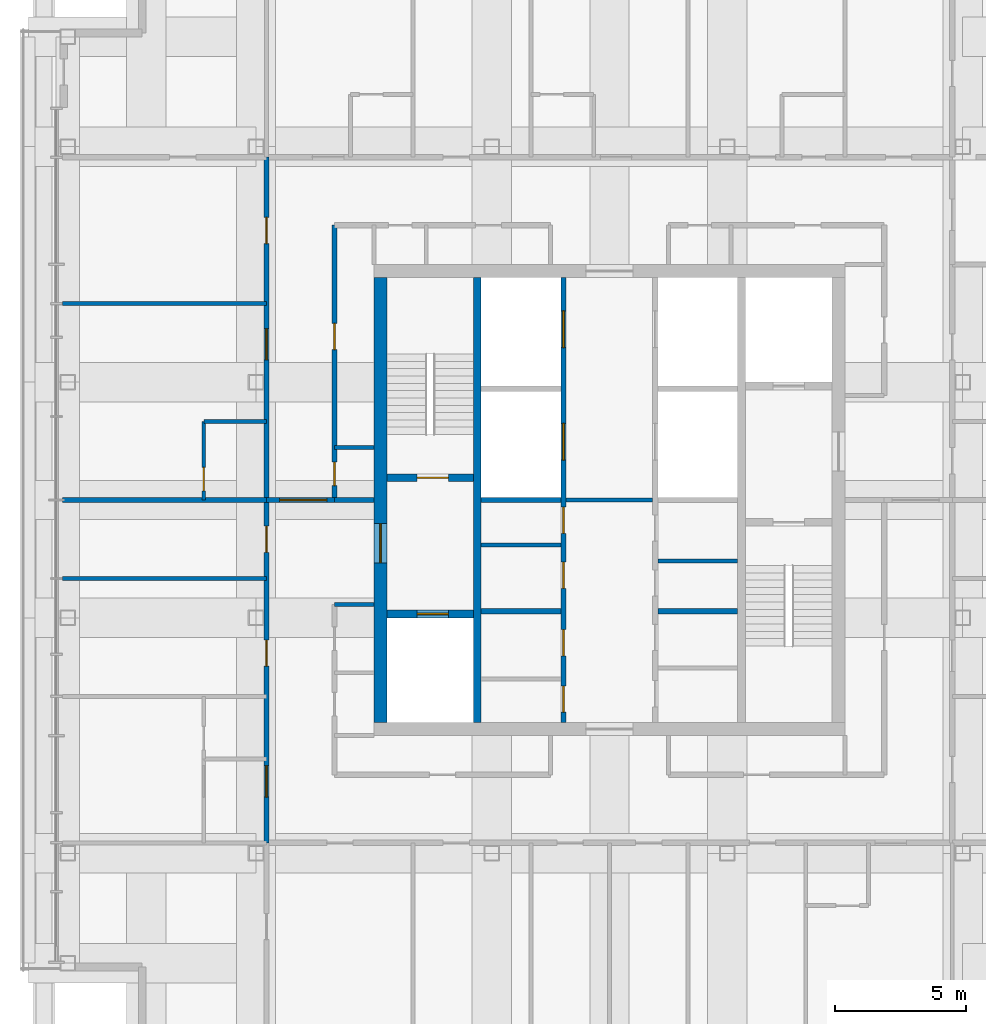
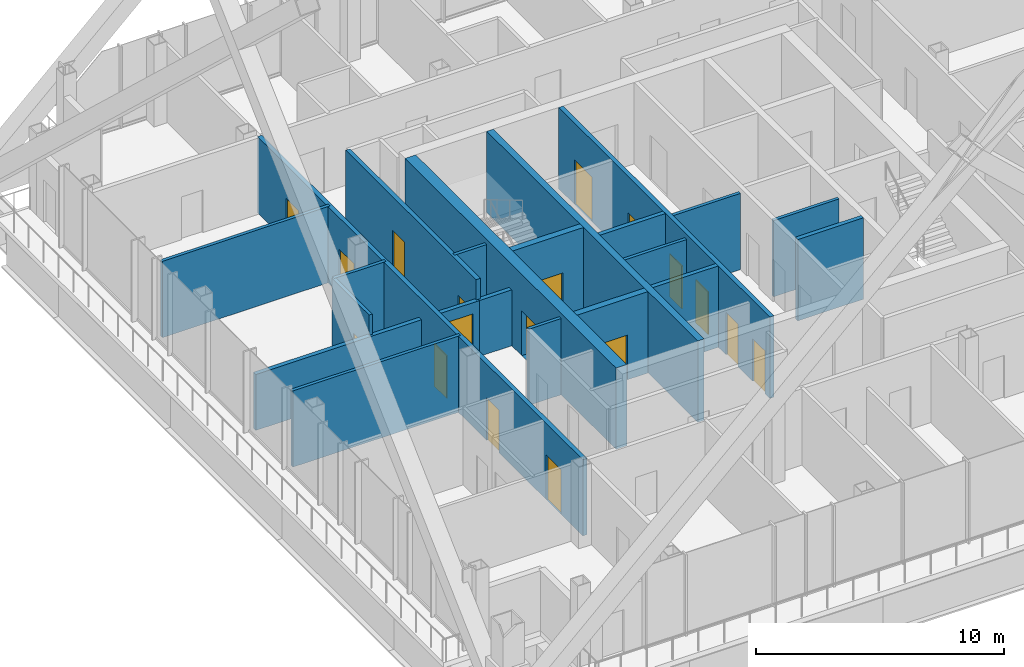
# One storey, part 13 of 19: 22 walls, 18 doors, 18 openings.
"""IFC4 building model written with IfcOpenShell, lengths in metres."""

from ifc_helpers import new_model, si_unit, direction, frame, frame_2d, origin, place, context, subcontext, project, spatial, rectangle, extrude, material, layer, layer_set, type_object, element, fill, save


model = new_model("IFC4")

# Units and contexts
model_context = context("Model", 3, precision=1e-05, world=origin(), true_north=direction((0.0, 1.0)))
body_context = subcontext(model_context, "Body", "Model", "MODEL_VIEW")
ifc_project = project(units=[si_unit("LENGTHUNIT", "METRE"), si_unit("AREAUNIT", "SQUARE_METRE"), si_unit("VOLUMEUNIT", "CUBIC_METRE"), si_unit("PLANEANGLEUNIT", "RADIAN"), si_unit("MASSUNIT", "GRAM", prefix="KILO")], contexts=[model_context])

# Site, building, storey
site_placement = place(None, origin())
site = spatial("IfcSite", under=ifc_project, at=site_placement, CompositionType="ELEMENT")
building_placement = place(site_placement, origin())
building = spatial("IfcBuilding", under=site, at=building_placement, Name="Malebo Sky Hospital", CompositionType="ELEMENT")
storey_placement = place(building_placement, frame((0.0, 0.0, 250.0)))
storey = spatial("IfcBuildingStorey", under=building, at=storey_placement, Name="L60", CompositionType="ELEMENT", Elevation=250.0)

# Wall, openings, doors
ifc_material_1 = material(Name="Concrete C80/95", Category="concrete")
ifc_layer_1 = layer(ifc_material_1, 0.199951171875)
ifc_layer_set_1 = layer_set([ifc_layer_1], Name="CORE INNER WALL 200")
wall_type_1 = type_object("IfcWallType", Name="CORE INNER WALL 200", PredefinedType="SHEAR", material=ifc_layer_set_1)
wall_1_placement = place(storey_placement, frame((58.25, 53.5, 0.0), z_axis=(0.0, 0.0, 1.0), x_axis=(0.0, 1.0, 0.0)))
wall_1 = element("IfcWall", 1, at=wall_1_placement, inside=storey, type_object=wall_type_1, Name="Core wall LW L60", PredefinedType="SHEAR", context=body_context, shape_type="SweptSolid", body=[
    extrude(rectangle(XDim=17.0, YDim=0.199951171875, at=frame_2d((8.5, 0.0))), origin(), (0.0, 0.0, 1.0), 4.0),
])
opening_1_placement = place(wall_1_placement, frame((0.392578125, 0.0, 0.0)))
opening_1 = element("IfcOpeningElement", 2, at=opening_1_placement, cuts=wall_1, Name="Opening D17", PredefinedType="OPENING", context=body_context, shape_type="SweptSolid", body=[
    extrude(rectangle(XDim=1.0, YDim=2.10009765625, at=frame_2d((0.5, 1.050048828125))), frame((0.0, 0.10986328125, 0.0), z_axis=(0.0, -1.0, 0.0), x_axis=(1.0, 0.0, 0.0)), (0.0, 0.0, 1.0), 0.219970703125),
])
opening_2_placement = place(wall_1_placement, frame((2.54248046875, 0.0, 0.0)))
opening_2 = element("IfcOpeningElement", 3, at=opening_2_placement, cuts=wall_1, Name="Opening D17", PredefinedType="OPENING", context=body_context, shape_type="SweptSolid", body=[
    extrude(rectangle(XDim=1.0, YDim=2.10009765625, at=frame_2d((0.5, 1.050048828125))), frame((0.0, 0.10986328125, 0.0), z_axis=(0.0, -1.0, 0.0), x_axis=(1.0, 0.0, 0.0)), (0.0, 0.0, 1.0), 0.219970703125),
])
opening_3_placement = place(wall_1_placement, frame((5.12744140625, 0.0, 0.0)))
opening_3 = element("IfcOpeningElement", 4, at=opening_3_placement, cuts=wall_1, Name="Opening D17", PredefinedType="OPENING", context=body_context, shape_type="SweptSolid", body=[
    extrude(rectangle(XDim=1.0, YDim=2.10009765625, at=frame_2d((0.5, 1.050048828125))), frame((0.0, 0.10986328125, 0.0), z_axis=(0.0, -1.0, 0.0), x_axis=(1.0, 0.0, 0.0)), (0.0, 0.0, 1.0), 0.219970703125),
])
opening_4_placement = place(wall_1_placement, frame((7.2275390625, 0.0, 0.0)))
opening_4 = element("IfcOpeningElement", 5, at=opening_4_placement, cuts=wall_1, Name="Opening D17", PredefinedType="OPENING", context=body_context, shape_type="SweptSolid", body=[
    extrude(rectangle(XDim=1.0, YDim=2.10009765625, at=frame_2d((0.5, 1.050048828125))), frame((0.0, 0.10986328125, 0.0), z_axis=(0.0, -1.0, 0.0), x_axis=(1.0, 0.0, 0.0)), (0.0, 0.0, 1.0), 0.219970703125),
])
opening_5_placement = place(wall_1_placement, frame((10.02490234375, 0.0, 0.0)))
opening_5 = element("IfcOpeningElement", 6, at=opening_5_placement, cuts=wall_1, Name="Opening LD1", PredefinedType="OPENING", context=body_context, shape_type="SweptSolid", body=[
    extrude(rectangle(XDim=1.39990234375, YDim=2.199951171875, at=frame_2d((0.699951171875, 1.10009765625))), frame((0.0, 0.10986328125, 0.0), z_axis=(0.0, -1.0, 0.0), x_axis=(1.0, 0.0, 0.0)), (0.0, 0.0, 1.0), 0.219970703125),
])
opening_6_placement = place(wall_1_placement, frame((14.324951171875, 0.0, 0.0)))
opening_6 = element("IfcOpeningElement", 7, at=opening_6_placement, cuts=wall_1, Name="Opening LD1", PredefinedType="OPENING", context=body_context, shape_type="SweptSolid", body=[
    extrude(rectangle(XDim=1.39990234375, YDim=2.199951171875, at=frame_2d((0.699951171875, 1.10009765625))), frame((0.0, 0.10986328125, 0.0), z_axis=(0.0, -1.0, 0.0), x_axis=(1.0, 0.0, 0.0)), (0.0, 0.0, 1.0), 0.219970703125),
])
ifc_material_2 = material(Name="Hardwood-faced door leaf in steel frame", Category="steel")
door_type_1 = type_object("IfcDoorType", Name="FIRE DOOR 1000", OperationType="SINGLE_SWING_LEFT", PredefinedType="DOOR", material=ifc_material_2)
door_1_placement = place(opening_1_placement, origin())
door_1 = element("IfcDoor", 8, at=door_1_placement, inside=storey, type_object=door_type_1, Name="Supplies store door", OperationType="SINGLE_SWING_RIGHT", OverallHeight=2.10009765625, OverallWidth=1.0, PredefinedType="DOOR", context=body_context, shape_type="SweptSolid", body=[
    extrude(rectangle(XDim=1.0, YDim=2.10009765625, at=frame_2d((0.5, 1.050048828125))), frame((0.0, 0.02490234375, 0.0), z_axis=(0.0, -1.0, 0.0), x_axis=(1.0, 0.0, 0.0)), (0.0, 0.0, 1.0), 0.050048828125),
])
fill(opening_1, door_1)
door_2_placement = place(opening_2_placement, origin())
door_2 = element("IfcDoor", 9, at=door_2_placement, inside=storey, type_object=door_type_1, Name="Mattress store door", OperationType="SINGLE_SWING_RIGHT", OverallHeight=2.10009765625, OverallWidth=1.0, PredefinedType="DOOR", context=body_context, shape_type="SweptSolid", body=[
    extrude(rectangle(XDim=1.0, YDim=2.10009765625, at=frame_2d((0.5, 1.050048828125))), frame((0.0, 0.02490234375, 0.0), z_axis=(0.0, -1.0, 0.0), x_axis=(1.0, 0.0, 0.0)), (0.0, 0.0, 1.0), 0.050048828125),
])
fill(opening_2, door_2)
door_3_placement = place(opening_3_placement, origin())
door_3 = element("IfcDoor", 10, at=door_3_placement, inside=storey, type_object=door_type_1, Name="Cleaning equipment store door", OperationType="SINGLE_SWING_RIGHT", OverallHeight=2.10009765625, OverallWidth=1.0, PredefinedType="DOOR", context=body_context, shape_type="SweptSolid", body=[
    extrude(rectangle(XDim=1.0, YDim=2.10009765625, at=frame_2d((0.5, 1.050048828125))), frame((0.0, 0.02490234375, 0.0), z_axis=(0.0, -1.0, 0.0), x_axis=(1.0, 0.0, 0.0)), (0.0, 0.0, 1.0), 0.050048828125),
])
fill(opening_3, door_3)
door_4_placement = place(opening_4_placement, origin())
door_4 = element("IfcDoor", 11, at=door_4_placement, inside=storey, type_object=door_type_1, Name="Archive store door", OperationType="SINGLE_SWING_RIGHT", OverallHeight=2.10009765625, OverallWidth=1.0, PredefinedType="DOOR", context=body_context, shape_type="SweptSolid", body=[
    extrude(rectangle(XDim=1.0, YDim=2.10009765625, at=frame_2d((0.5, 1.050048828125))), frame((0.0, 0.02490234375, 0.0), z_axis=(0.0, -1.0, 0.0), x_axis=(1.0, 0.0, 0.0)), (0.0, 0.0, 1.0), 0.050048828125),
])
fill(opening_4, door_4)
ifc_material_3 = material(Name="Stainless steel sliding landing door", Category="steel")
door_type_2 = type_object("IfcDoorType", Name="LIFT LANDING DOOR 1400", OperationType="SLIDING_TO_LEFT", PredefinedType="DOOR", material=ifc_material_3)
door_5_placement = place(opening_5_placement, origin())
door_5 = element("IfcDoor", 12, at=door_5_placement, inside=storey, type_object=door_type_2, Name="Lift W3 landing door", OperationType="SLIDING_TO_LEFT", OverallHeight=2.199951171875, OverallWidth=1.39990234375, PredefinedType="DOOR", context=body_context, shape_type="SweptSolid", body=[
    extrude(rectangle(XDim=1.39990234375, YDim=2.199951171875, at=frame_2d((0.699951171875, 1.10009765625))), frame((0.0, 0.02490234375, 0.0), z_axis=(0.0, -1.0, 0.0), x_axis=(1.0, 0.0, 0.0)), (0.0, 0.0, 1.0), 0.050048828125),
])
fill(opening_5, door_5)
door_6_placement = place(opening_6_placement, origin())
door_6 = element("IfcDoor", 13, at=door_6_placement, inside=storey, type_object=door_type_2, Name="Lift W4 landing door", OperationType="SLIDING_TO_LEFT", OverallHeight=2.199951171875, OverallWidth=1.39990234375, PredefinedType="DOOR", context=body_context, shape_type="SweptSolid", body=[
    extrude(rectangle(XDim=1.39990234375, YDim=2.199951171875, at=frame_2d((0.699951171875, 1.10009765625))), frame((0.0, 0.02490234375, 0.0), z_axis=(0.0, -1.0, 0.0), x_axis=(1.0, 0.0, 0.0)), (0.0, 0.0, 1.0), 0.050048828125),
])
fill(opening_6, door_6)

# Walls
for number, where, z_axis, x_axis, name in (
    (14, (55.10009765625, 57.75, 0.0), (0.0, 0.0, 1.0), (1.0, 0.0, 0.0), "Core wall SW0 L60"),
    (15, (61.85009765625, 57.75, 0.0), (0.0, 0.0, 1.0), (1.0, 0.0, 0.0), "Core wall SE0 L60"),
    (16, (55.10009765625, 62.0, 0.0), (0.0, 0.0, 1.0), (1.0, 0.0, 0.0), "Core wall SW1 L60"),
):
    element("IfcWall", number, at=place(storey_placement, frame(where, z_axis=z_axis, x_axis=x_axis)), inside=storey, type_object=wall_type_1, Name=name, PredefinedType="SHEAR", context=body_context, shape_type="SweptSolid", body=[
        extrude(rectangle(XDim=3.0498046875, YDim=0.199951171875, at=frame_2d((1.52490234375, 0.0))), origin(), (0.0, 0.0, 1.0), 4.0),
    ])
ifc_layer_2 = layer(ifc_material_1, 0.300048828125)
ifc_layer_set_2 = layer_set([ifc_layer_2], Name="CORE INNER WALL 300")
wall_type_2 = type_object("IfcWallType", Name="CORE INNER WALL 300", PredefinedType="SHEAR", material=ifc_layer_set_2)
wall_2_placement = place(storey_placement, frame((54.949951171875, 53.5, 0.0), z_axis=(0.0, 0.0, 1.0), x_axis=(0.0, 1.0, 0.0)))
element("IfcWall", 17, at=wall_2_placement, inside=storey, type_object=wall_type_2, Name="Core wall XW L60", PredefinedType="SHEAR", context=body_context, shape_type="SweptSolid", body=[
    extrude(rectangle(XDim=17.0, YDim=0.300048828125, at=frame_2d((8.5, 0.0))), origin(), (0.0, 0.0, 1.0), 4.0),
])

# Wall, opening, door
wall_3_placement = place(storey_placement, frame((51.5, 62.85009765625, 0.0), z_axis=(0.0, 0.0, 1.0), x_axis=(1.0, 0.0, 0.0)))
wall_3 = element("IfcWall", 18, at=wall_3_placement, inside=storey, type_object=wall_type_2, Name="Core wall W1 L60", PredefinedType="SHEAR", context=body_context, shape_type="SweptSolid", body=[
    extrude(rectangle(XDim=3.300048828125, YDim=0.300048828125, at=frame_2d((1.64990234375, 0.0))), origin(), (0.0, 0.0, 1.0), 4.0),
])
opening_7_placement = place(wall_3_placement, frame((1.14990234375, 0.0, 0.0)))
opening_7 = element("IfcOpeningElement", 19, at=opening_7_placement, cuts=wall_3, Name="Opening D08", PredefinedType="OPENING", context=body_context, shape_type="SweptSolid", body=[
    extrude(rectangle(XDim=1.199951171875, YDim=2.10009765625, at=frame_2d((0.60009765625, 1.050048828125))), frame((0.0, 0.159912109375, 0.0), z_axis=(0.0, -1.0, 0.0), x_axis=(1.0, 0.0, 0.0)), (0.0, 0.0, 1.0), 0.320068359375),
])
door_type_3 = type_object("IfcDoorType", Name="STAIR DOOR 1200", OperationType="SINGLE_SWING_LEFT", PredefinedType="DOOR", material=ifc_material_2)
door_7_placement = place(opening_7_placement, origin())
door_7 = element("IfcDoor", 20, at=door_7_placement, inside=storey, type_object=door_type_3, Name="Stair S1 door", OperationType="SINGLE_SWING_RIGHT", OverallHeight=2.10009765625, OverallWidth=1.199951171875, PredefinedType="DOOR", context=body_context, shape_type="SweptSolid", body=[
    extrude(rectangle(XDim=1.199951171875, YDim=2.10009765625, at=frame_2d((0.60009765625, 1.050048828125))), frame((0.0, 0.02490234375, 0.0), z_axis=(0.0, -1.0, 0.0), x_axis=(1.0, 0.0, 0.0)), (0.0, 0.0, 1.0), 0.050048828125),
])
fill(opening_7, door_7)

wall_4_placement = place(storey_placement, frame((51.5, 57.64990234375, 0.0), z_axis=(0.0, 0.0, 1.0), x_axis=(1.0, 0.0, 0.0)))
wall_4 = element("IfcWall", 21, at=wall_4_placement, inside=storey, type_object=wall_type_2, Name="Core wall W2 L60", PredefinedType="SHEAR", context=body_context, shape_type="SweptSolid", body=[
    extrude(rectangle(XDim=3.300048828125, YDim=0.300048828125, at=frame_2d((1.64990234375, 0.0))), origin(), (0.0, 0.0, 1.0), 4.0),
])
opening_8_placement = place(wall_4_placement, frame((1.14990234375, 0.0, 0.0)))
opening_8 = element("IfcOpeningElement", 22, at=opening_8_placement, cuts=wall_4, Name="Opening LD2", PredefinedType="OPENING", context=body_context, shape_type="SweptSolid", body=[
    extrude(rectangle(XDim=1.199951171875, YDim=2.199951171875, at=frame_2d((0.60009765625, 1.10009765625))), frame((0.0, 0.159912109375, 0.0), z_axis=(0.0, -1.0, 0.0), x_axis=(1.0, 0.0, 0.0)), (0.0, 0.0, 1.0), 0.320068359375),
])
door_type_4 = type_object("IfcDoorType", Name="FIRE-FIGHTING LIFT LANDING DOOR 1200", OperationType="SLIDING_TO_LEFT", PredefinedType="DOOR", material=ifc_material_3)
door_8_placement = place(opening_8_placement, origin())
door_8 = element("IfcDoor", 23, at=door_8_placement, inside=storey, type_object=door_type_4, Name="Lift FL1 landing door", OperationType="SLIDING_TO_LEFT", OverallHeight=2.199951171875, OverallWidth=1.199951171875, PredefinedType="DOOR", context=body_context, shape_type="SweptSolid", body=[
    extrude(rectangle(XDim=1.199951171875, YDim=2.199951171875, at=frame_2d((0.60009765625, 1.10009765625))), frame((0.0, 0.02490234375, 0.0), z_axis=(0.0, -1.0, 0.0), x_axis=(1.0, 0.0, 0.0)), (0.0, 0.0, 1.0), 0.050048828125),
])
fill(opening_8, door_8)

ifc_layer_3 = layer(ifc_material_1, 0.5)
ifc_layer_set_3 = layer_set([ifc_layer_3], Name="CORE WALL 500")
wall_type_3 = type_object("IfcWallType", Name="CORE WALL 500", PredefinedType="SHEAR", material=ifc_layer_set_3)
wall_5_placement = place(storey_placement, frame((51.25, 53.5, 0.0), z_axis=(0.0, 0.0, 1.0), x_axis=(0.0, 1.0, 0.0)))
wall_5 = element("IfcWall", 24, at=wall_5_placement, inside=storey, type_object=wall_type_3, Name="Core wall W L60", PredefinedType="SHEAR", context=body_context, shape_type="SweptSolid", body=[
    extrude(rectangle(XDim=17.0, YDim=0.5, at=frame_2d((8.5, 0.0))), origin(), (0.0, 0.0, 1.0), 4.0),
])
opening_9_placement = place(wall_5_placement, frame((6.10009765625, 0.0, 0.0)))
opening_9 = element("IfcOpeningElement", 25, at=opening_9_placement, cuts=wall_5, Name="Opening D07", PredefinedType="OPENING", context=body_context, shape_type="SweptSolid", body=[
    extrude(rectangle(XDim=1.5, YDim=2.199951171875, at=frame_2d((0.75, 1.10009765625))), frame((0.0, 0.260009765625, 0.0), z_axis=(0.0, -1.0, 0.0), x_axis=(1.0, 0.0, 0.0)), (0.0, 0.0, 1.0), 0.52001953125),
])
door_type_5 = type_object("IfcDoorType", Name="FIRE-FIGHTING LOBBY DOOR PAIR 1500", OperationType="DOUBLE_DOOR_SINGLE_SWING", PredefinedType="DOOR", material=ifc_material_2)
door_9_placement = place(opening_9_placement, origin())
door_9 = element("IfcDoor", 26, at=door_9_placement, inside=storey, type_object=door_type_5, Name="Fire-fighting lobby door west", OperationType="DOUBLE_DOOR_SINGLE_SWING", OverallHeight=2.199951171875, OverallWidth=1.5, PredefinedType="DOOR", context=body_context, shape_type="SweptSolid", body=[
    extrude(rectangle(XDim=1.5, YDim=2.199951171875, at=frame_2d((0.75, 1.10009765625))), frame((0.0, 0.02490234375, 0.0), z_axis=(0.0, -1.0, 0.0), x_axis=(1.0, 0.0, 0.0)), (0.0, 0.0, 1.0), 0.050048828125),
])
fill(opening_9, door_9)

# Wall, openings, doors
ifc_material_4 = material(Name="Gypsum board on steel studs", Category="steel")
ifc_layer_4 = layer(ifc_material_4, 0.199951171875)
ifc_layer_set_4 = layer_set([ifc_layer_4], Name="CORRIDOR WALL 200")
wall_type_4 = type_object("IfcWallType", Name="CORRIDOR WALL 200", PredefinedType="PARTITIONING", material=ifc_layer_set_4)
wall_6_placement = place(storey_placement, frame((46.89990234375, 48.89990234375, 0.0), z_axis=(0.0, 0.0, 1.0), x_axis=(0.0, 1.0, 0.0)))
wall_6 = element("IfcWall", 27, at=wall_6_placement, inside=storey, type_object=wall_type_4, Name="Corridor Wall 200 WCO", PredefinedType="PARTITIONING", context=body_context, shape_type="SweptSolid", body=[
    extrude(rectangle(XDim=26.2001953125, YDim=0.199951171875, at=frame_2d((13.10009765625, 0.0))), origin(), (0.0, 0.0, 1.0), 3.75),
])
opening_10_placement = place(wall_6_placement, frame((1.75, 0.0, 0.0)))
opening_10 = element("IfcOpeningElement", 28, at=opening_10_placement, cuts=wall_6, Name="Opening D18", PredefinedType="OPENING", context=body_context, shape_type="SweptSolid", body=[
    extrude(rectangle(XDim=1.199951171875, YDim=2.199951171875, at=frame_2d((0.60009765625, 1.10009765625))), frame((0.0, 0.10986328125, 0.0), z_axis=(0.0, -1.0, 0.0), x_axis=(1.0, 0.0, 0.0)), (0.0, 0.0, 1.0), 0.219970703125),
])
opening_11_placement = place(wall_6_placement, frame((6.75, 0.0, 0.0)))
opening_11 = element("IfcOpeningElement", 29, at=opening_11_placement, cuts=wall_6, Name="Opening D03", PredefinedType="OPENING", context=body_context, shape_type="SweptSolid", body=[
    extrude(rectangle(XDim=1.0, YDim=2.10009765625, at=frame_2d((0.5, 1.050048828125))), frame((0.0, 0.10986328125, 0.0), z_axis=(0.0, -1.0, 0.0), x_axis=(1.0, 0.0, 0.0)), (0.0, 0.0, 1.0), 0.219970703125),
])
opening_12_placement = place(wall_6_placement, frame((11.10009765625, 0.0, 0.0)))
opening_12 = element("IfcOpeningElement", 30, at=opening_12_placement, cuts=wall_6, Name="Opening D03", PredefinedType="OPENING", context=body_context, shape_type="SweptSolid", body=[
    extrude(rectangle(XDim=1.0, YDim=2.10009765625, at=frame_2d((0.5, 1.050048828125))), frame((0.0, 0.10986328125, 0.0), z_axis=(0.0, -1.0, 0.0), x_axis=(1.0, 0.0, 0.0)), (0.0, 0.0, 1.0), 0.219970703125),
])
opening_13_placement = place(wall_6_placement, frame((18.449951171875, 0.0, 0.0)))
opening_13 = element("IfcOpeningElement", 31, at=opening_13_placement, cuts=wall_6, Name="Opening D01", PredefinedType="OPENING", context=body_context, shape_type="SweptSolid", body=[
    extrude(rectangle(XDim=1.199951171875, YDim=2.199951171875, at=frame_2d((0.60009765625, 1.10009765625))), frame((0.0, 0.10986328125, 0.0), z_axis=(0.0, -1.0, 0.0), x_axis=(1.0, 0.0, 0.0)), (0.0, 0.0, 1.0), 0.219970703125),
])
opening_14_placement = place(wall_6_placement, frame((22.89990234375, 0.0, 0.0)))
opening_14 = element("IfcOpeningElement", 32, at=opening_14_placement, cuts=wall_6, Name="Opening D17", PredefinedType="OPENING", context=body_context, shape_type="SweptSolid", body=[
    extrude(rectangle(XDim=1.0, YDim=2.10009765625, at=frame_2d((0.5, 1.050048828125))), frame((0.0, 0.10986328125, 0.0), z_axis=(0.0, -1.0, 0.0), x_axis=(1.0, 0.0, 0.0)), (0.0, 0.0, 1.0), 0.219970703125),
])
door_type_6 = type_object("IfcDoorType", Name="ANTEROOM DOOR 1200", OperationType="SINGLE_SWING_LEFT", PredefinedType="DOOR", material=ifc_material_2)
door_10_placement = place(opening_10_placement, origin())
door_10 = element("IfcDoor", 33, at=door_10_placement, inside=storey, type_object=door_type_6, Name="Anteroom door", OperationType="SINGLE_SWING_RIGHT", OverallHeight=2.199951171875, OverallWidth=1.199951171875, PredefinedType="DOOR", context=body_context, shape_type="SweptSolid", body=[
    extrude(rectangle(XDim=1.199951171875, YDim=2.199951171875, at=frame_2d((0.60009765625, 1.10009765625))), frame((0.0, 0.02490234375, 0.0), z_axis=(0.0, -1.0, 0.0), x_axis=(1.0, 0.0, 0.0)), (0.0, 0.0, 1.0), 0.050048828125),
])
fill(opening_10, door_10)
door_type_7 = type_object("IfcDoorType", Name="BED DOOR 1200", OperationType="SINGLE_SWING_LEFT", PredefinedType="DOOR", material=ifc_material_2)
door_11_placement = place(opening_13_placement, origin())
door_11 = element("IfcDoor", 34, at=door_11_placement, inside=storey, type_object=door_type_7, Name="Two-bed room door", OperationType="SINGLE_SWING_RIGHT", OverallHeight=2.199951171875, OverallWidth=1.199951171875, PredefinedType="DOOR", context=body_context, shape_type="SweptSolid", body=[
    extrude(rectangle(XDim=1.199951171875, YDim=2.199951171875, at=frame_2d((0.60009765625, 1.10009765625))), frame((0.0, 0.02490234375, 0.0), z_axis=(0.0, -1.0, 0.0), x_axis=(1.0, 0.0, 0.0)), (0.0, 0.0, 1.0), 0.050048828125),
])
fill(opening_13, door_11)
door_12_placement = place(opening_14_placement, origin())
door_12 = element("IfcDoor", 35, at=door_12_placement, inside=storey, type_object=door_type_1, Name="Facade access lobby door", OperationType="SINGLE_SWING_RIGHT", OverallHeight=2.10009765625, OverallWidth=1.0, PredefinedType="DOOR", context=body_context, shape_type="SweptSolid", body=[
    extrude(rectangle(XDim=1.0, YDim=2.10009765625, at=frame_2d((0.5, 1.050048828125))), frame((0.0, 0.02490234375, 0.0), z_axis=(0.0, -1.0, 0.0), x_axis=(1.0, 0.0, 0.0)), (0.0, 0.0, 1.0), 0.050048828125),
])
fill(opening_14, door_12)
door_type_8 = type_object("IfcDoorType", Name="ROOM DOOR 1000", OperationType="SINGLE_SWING_LEFT", PredefinedType="DOOR", material=ifc_material_2)
door_13_placement = place(opening_11_placement, origin())
door_13 = element("IfcDoor", 36, at=door_13_placement, inside=storey, type_object=door_type_8, Name="Treatment room door", OperationType="SINGLE_SWING_LEFT", OverallHeight=2.10009765625, OverallWidth=1.0, PredefinedType="DOOR", context=body_context, shape_type="SweptSolid", body=[
    extrude(rectangle(XDim=1.0, YDim=2.10009765625, at=frame_2d((0.5, 1.050048828125))), frame((0.0, 0.02490234375, 0.0), z_axis=(0.0, -1.0, 0.0), x_axis=(1.0, 0.0, 0.0)), (0.0, 0.0, 1.0), 0.050048828125),
])
fill(opening_11, door_13)
door_14_placement = place(opening_12_placement, origin())
door_14 = element("IfcDoor", 37, at=door_14_placement, inside=storey, type_object=door_type_8, Name="Medication room door", OperationType="SINGLE_SWING_RIGHT", OverallHeight=2.10009765625, OverallWidth=1.0, PredefinedType="DOOR", context=body_context, shape_type="SweptSolid", body=[
    extrude(rectangle(XDim=1.0, YDim=2.10009765625, at=frame_2d((0.5, 1.050048828125))), frame((0.0, 0.02490234375, 0.0), z_axis=(0.0, -1.0, 0.0), x_axis=(1.0, 0.0, 0.0)), (0.0, 0.0, 1.0), 0.050048828125),
])
fill(opening_12, door_14)

wall_7_placement = place(storey_placement, frame((49.5, 62.0, 0.0), z_axis=(0.0, 0.0, 1.0), x_axis=(0.0, 1.0, 0.0)))
wall_7 = element("IfcWall", 38, at=wall_7_placement, inside=storey, type_object=wall_type_4, Name="Corridor Wall 200 WCI2", PredefinedType="PARTITIONING", context=body_context, shape_type="SweptSolid", body=[
    extrude(rectangle(XDim=10.5, YDim=0.199951171875, at=frame_2d((5.25, 0.0))), origin(), (0.0, 0.0, 1.0), 3.75),
])
opening_15_placement = place(wall_7_placement, frame((0.550048828125, 0.0, 0.0)))
opening_15 = element("IfcOpeningElement", 39, at=opening_15_placement, cuts=wall_7, Name="Opening D04", PredefinedType="OPENING", context=body_context, shape_type="SweptSolid", body=[
    extrude(rectangle(XDim=0.89990234375, YDim=2.10009765625, at=frame_2d((0.449951171875, 1.050048828125))), frame((0.0, 0.10986328125, 0.0), z_axis=(0.0, -1.0, 0.0), x_axis=(1.0, 0.0, 0.0)), (0.0, 0.0, 1.0), 0.219970703125),
])
opening_16_placement = place(wall_7_placement, frame((5.75, 0.0, 0.0)))
opening_16 = element("IfcOpeningElement", 40, at=opening_16_placement, cuts=wall_7, Name="Opening D03", PredefinedType="OPENING", context=body_context, shape_type="SweptSolid", body=[
    extrude(rectangle(XDim=1.0, YDim=2.10009765625, at=frame_2d((0.5, 1.050048828125))), frame((0.0, 0.10986328125, 0.0), z_axis=(0.0, -1.0, 0.0), x_axis=(1.0, 0.0, 0.0)), (0.0, 0.0, 1.0), 0.219970703125),
])
door_15_placement = place(opening_16_placement, origin())
door_15 = element("IfcDoor", 41, at=door_15_placement, inside=storey, type_object=door_type_8, Name="Patient property store door", OperationType="SINGLE_SWING_RIGHT", OverallHeight=2.10009765625, OverallWidth=1.0, PredefinedType="DOOR", context=body_context, shape_type="SweptSolid", body=[
    extrude(rectangle(XDim=1.0, YDim=2.10009765625, at=frame_2d((0.5, 1.050048828125))), frame((0.0, 0.02490234375, 0.0), z_axis=(0.0, -1.0, 0.0), x_axis=(1.0, 0.0, 0.0)), (0.0, 0.0, 1.0), 0.050048828125),
])
fill(opening_16, door_15)
door_type_9 = type_object("IfcDoorType", Name="ROOM DOOR 900", OperationType="SINGLE_SWING_LEFT", PredefinedType="DOOR", material=ifc_material_2)
door_16_placement = place(opening_15_placement, origin())
door_16 = element("IfcDoor", 42, at=door_16_placement, inside=storey, type_object=door_type_9, Name="Visitor WC door", OperationType="SINGLE_SWING_LEFT", OverallHeight=2.10009765625, OverallWidth=0.89990234375, PredefinedType="DOOR", context=body_context, shape_type="SweptSolid", body=[
    extrude(rectangle(XDim=0.89990234375, YDim=2.10009765625, at=frame_2d((0.449951171875, 1.050048828125))), frame((0.0, 0.02490234375, 0.0), z_axis=(0.0, -1.0, 0.0), x_axis=(1.0, 0.0, 0.0)), (0.0, 0.0, 1.0), 0.050048828125),
])
fill(opening_15, door_16)

# Walls
ifc_layer_5 = layer(ifc_material_4, 0.14990234375)
ifc_layer_set_5 = layer_set([ifc_layer_5], Name="PARTITION 150")
wall_type_5 = type_object("IfcWallType", Name="PARTITION 150", PredefinedType="PARTITIONING", material=ifc_layer_set_5)
for number, where, z_axis, x_axis, name in (
    (43, (46.89990234375, 59.0, 0.0), (0.0, 0.0, 1.0), (-1.0, 0.0, 0.0), "Partition 150 WP-3.0"),
    (44, (46.89990234375, 69.5, 0.0), (0.0, 0.0, 1.0), (-1.0, 0.0, 0.0), "Partition 150 WP+7.5"),
):
    element("IfcWall", number, at=place(storey_placement, frame(where, z_axis=z_axis, x_axis=x_axis)), inside=storey, type_object=wall_type_5, Name=name, PredefinedType="PARTITIONING", context=body_context, shape_type="SweptSolid", body=[
        extrude(rectangle(XDim=7.7998046875, YDim=0.14990234375, at=frame_2d((3.89990234375, 0.0))), origin(), (0.0, 0.0, 1.0), 3.75),
    ])

# Wall, opening, door
wall_8_placement = place(storey_placement, frame((44.5, 62.0, 0.0), z_axis=(0.0, 0.0, 1.0), x_axis=(0.0, 1.0, 0.0)))
wall_8 = element("IfcWall", 45, at=wall_8_placement, inside=storey, type_object=wall_type_5, Name="Partition 150 WE3F", PredefinedType="PARTITIONING", context=body_context, shape_type="SweptSolid", body=[
    extrude(rectangle(XDim=3.0, YDim=0.14990234375, at=frame_2d((1.5, 0.0))), origin(), (0.0, 0.0, 1.0), 3.75),
])
opening_17_placement = place(wall_8_placement, frame((0.35009765625, 0.0, 0.0)))
opening_17 = element("IfcOpeningElement", 46, at=opening_17_placement, cuts=wall_8, Name="Opening D02", PredefinedType="OPENING", context=body_context, shape_type="SweptSolid", body=[
    extrude(rectangle(XDim=0.89990234375, YDim=2.10009765625, at=frame_2d((0.449951171875, 1.050048828125))), frame((0.0, 0.0849609375, 0.0), z_axis=(0.0, -1.0, 0.0), x_axis=(1.0, 0.0, 0.0)), (0.0, 0.0, 1.0), 0.169921875),
])
door_type_10 = type_object("IfcDoorType", Name="EN-SUITE DOOR 900", OperationType="SINGLE_SWING_LEFT", PredefinedType="DOOR", material=ifc_material_2)
door_17_placement = place(opening_17_placement, origin())
door_17 = element("IfcDoor", 47, at=door_17_placement, inside=storey, type_object=door_type_10, Name="En-suite door", OperationType="SINGLE_SWING_LEFT", OverallHeight=2.10009765625, OverallWidth=0.89990234375, PredefinedType="DOOR", context=body_context, shape_type="SweptSolid", body=[
    extrude(rectangle(XDim=0.89990234375, YDim=2.10009765625, at=frame_2d((0.449951171875, 1.050048828125))), frame((0.0, 0.02490234375, 0.0), z_axis=(0.0, -1.0, 0.0), x_axis=(1.0, 0.0, 0.0)), (0.0, 0.0, 1.0), 0.050048828125),
])
fill(opening_17, door_17)

# Walls
wall_9_placement = place(storey_placement, frame((46.89990234375, 65.0, 0.0), z_axis=(0.0, 0.0, 1.0), x_axis=(-1.0, 0.0, 0.0)))
element("IfcWall", 48, at=wall_9_placement, inside=storey, type_object=wall_type_5, Name="Partition 150 WE3S", PredefinedType="PARTITIONING", context=body_context, shape_type="SweptSolid", body=[
    extrude(rectangle(XDim=2.39990234375, YDim=0.14990234375, at=frame_2d((1.199951171875, 0.0))), origin(), (0.0, 0.0, 1.0), 3.75),
])
for number, where, z_axis, x_axis, name in (
    (49, (51.0, 58.0, 0.0), (0.0, 0.0, 1.0), (-1.0, 0.0, 0.0), "Partition 150 WSPA"),
    (50, (51.0, 64.0, 0.0), (0.0, 0.0, 1.0), (-1.0, 0.0, 0.0), "Partition 150 WSP+2.0"),
):
    element("IfcWall", number, at=place(storey_placement, frame(where, z_axis=z_axis, x_axis=x_axis)), inside=storey, type_object=wall_type_5, Name=name, PredefinedType="PARTITIONING", context=body_context, shape_type="SweptSolid", body=[
        extrude(rectangle(XDim=1.5, YDim=0.14990234375, at=frame_2d((0.75, 0.0))), origin(), (0.0, 0.0, 1.0), 3.75),
    ])
for number, where, z_axis, x_axis, name in (
    (51, (55.10009765625, 60.280029296875, 0.0), (0.0, 0.0, 1.0), (1.0, 0.0, 0.0), "Partition 150 SHW2"),
    (52, (61.85009765625, 59.673095703125, 0.0), (0.0, 0.0, 1.0), (1.0, 0.0, 0.0), "Partition 150 SHE2"),
):
    element("IfcWall", number, at=place(storey_placement, frame(where, z_axis=z_axis, x_axis=x_axis)), inside=storey, type_object=wall_type_5, Name=name, PredefinedType="PARTITIONING", context=body_context, shape_type="SweptSolid", body=[
        extrude(rectangle(XDim=3.0498046875, YDim=0.14990234375, at=frame_2d((1.52490234375, 0.0))), origin(), (0.0, 0.0, 1.0), 3.75),
    ])
wall_10_placement = place(storey_placement, frame((58.35009765625, 62.0, 0.0), z_axis=(0.0, 0.0, 1.0), x_axis=(1.0, 0.0, 0.0)))
element("IfcWall", 53, at=wall_10_placement, inside=storey, type_object=wall_type_5, Name="Partition 150 LBS", PredefinedType="PARTITIONING", context=body_context, shape_type="SweptSolid", body=[
    extrude(rectangle(XDim=3.2998046875, YDim=0.14990234375, at=frame_2d((1.64990234375, 0.0))), origin(), (0.0, 0.0, 1.0), 3.75),
])
ifc_material_5 = material(Name="Concrete blockwork", Category="masonry")
ifc_layer_6 = layer(ifc_material_5, 0.199951171875)
ifc_layer_set_6 = layer_set([ifc_layer_6], Name="SMOKE BARRIER WALL 200")
wall_type_6 = type_object("IfcWallType", Name="SMOKE BARRIER WALL 200", PredefinedType="SOLIDWALL", material=ifc_layer_set_6)
wall_11_placement = place(storey_placement, frame((46.89990234375, 62.0, 0.0), z_axis=(0.0, 0.0, 1.0), x_axis=(-1.0, 0.0, 0.0)))
element("IfcWall", 54, at=wall_11_placement, inside=storey, type_object=wall_type_6, Name="Smoke Barrier Wall 200 WP+0.0", PredefinedType="SOLIDWALL", context=body_context, shape_type="SweptSolid", body=[
    extrude(rectangle(XDim=7.7998046875, YDim=0.199951171875, at=frame_2d((3.89990234375, 0.0))), origin(), (0.0, 0.0, 1.0), 2.75),
])
wall_12_placement = place(storey_placement, frame((51.0, 62.0, 0.0), z_axis=(0.0, 0.0, 1.0), x_axis=(-1.0, 0.0, 0.0)))
element("IfcWall", 55, at=wall_12_placement, inside=storey, type_object=wall_type_6, Name="Smoke Barrier Wall 200 WSPB", PredefinedType="SOLIDWALL", context=body_context, shape_type="SweptSolid", body=[
    extrude(rectangle(XDim=1.5, YDim=0.199951171875, at=frame_2d((0.75, 0.0))), origin(), (0.0, 0.0, 1.0), 2.75),
])

# Wall, opening, door
wall_13_placement = place(storey_placement, frame((49.5, 62.0, 0.0), z_axis=(0.0, 0.0, 1.0), x_axis=(-1.0, 0.0, 0.0)))
wall_13 = element("IfcWall", 56, at=wall_13_placement, inside=storey, type_object=wall_type_6, Name="Smoke Barrier Wall 200 WSB", PredefinedType="SOLIDWALL", context=body_context, shape_type="SweptSolid", body=[
    extrude(rectangle(XDim=2.60009765625, YDim=0.199951171875, at=frame_2d((1.300048828125, 0.0))), origin(), (0.0, 0.0, 1.0), 2.75),
])
opening_18_placement = place(wall_13_placement, frame((0.300048828125, 0.0, 0.0)))
opening_18 = element("IfcOpeningElement", 57, at=opening_18_placement, cuts=wall_13, Name="Opening D05", PredefinedType="OPENING", context=body_context, shape_type="SweptSolid", body=[
    extrude(rectangle(XDim=1.800048828125, YDim=2.199951171875, at=frame_2d((0.89990234375, 1.10009765625))), frame((0.0, 0.10986328125, 0.0), z_axis=(0.0, -1.0, 0.0), x_axis=(1.0, 0.0, 0.0)), (0.0, 0.0, 1.0), 0.219970703125),
])
door_type_11 = type_object("IfcDoorType", Name="SMOKE DOOR PAIR 1800", OperationType="DOUBLE_DOOR_DOUBLE_SWING", PredefinedType="DOOR", material=ifc_material_2)
door_18_placement = place(opening_18_placement, origin())
door_18 = element("IfcDoor", 58, at=door_18_placement, inside=storey, type_object=door_type_11, Name="Smoke compartment door pair", OperationType="DOUBLE_DOOR_DOUBLE_SWING", OverallHeight=2.199951171875, OverallWidth=1.800048828125, PredefinedType="DOOR", context=body_context, shape_type="SweptSolid", body=[
    extrude(rectangle(XDim=1.800048828125, YDim=2.199951171875, at=frame_2d((0.89990234375, 1.10009765625))), frame((0.0, 0.02490234375, 0.0), z_axis=(0.0, -1.0, 0.0), x_axis=(1.0, 0.0, 0.0)), (0.0, 0.0, 1.0), 0.050048828125),
])
fill(opening_18, door_18)

save(model, "model.ifc")
